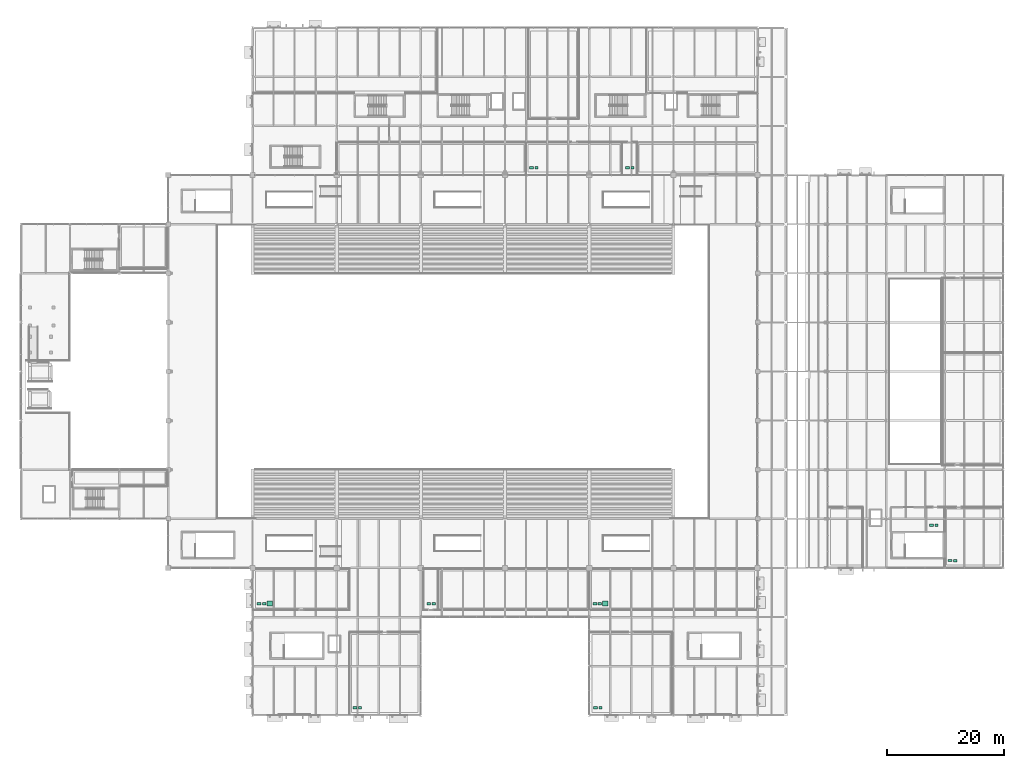
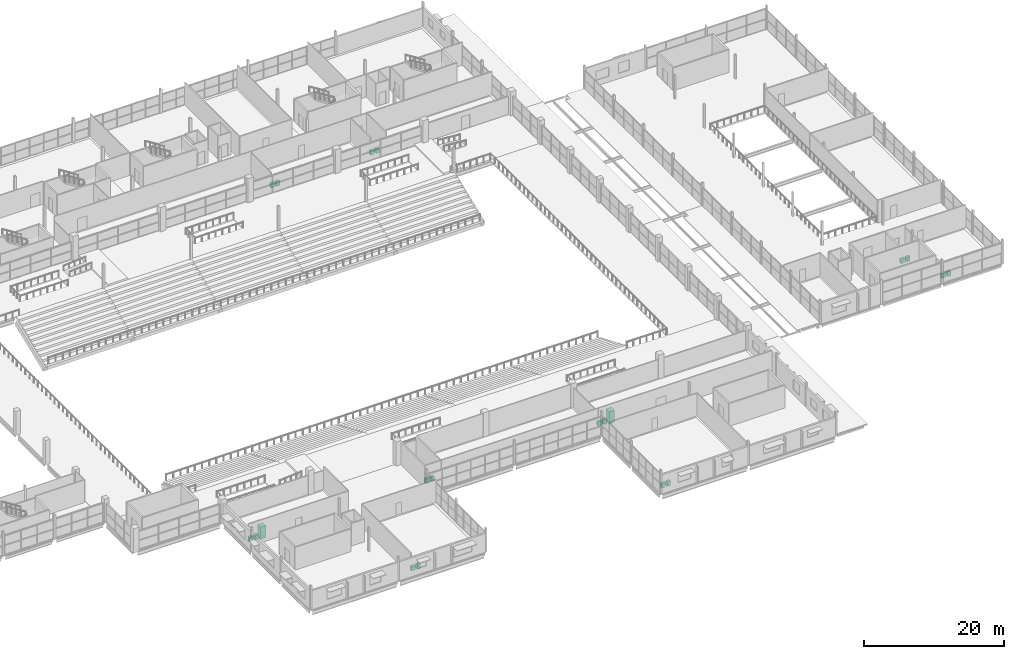
# One storey, part 161 of 161: 20 sanitary terminals.
"""IFC4 building model written with IfcOpenShell, lengths in metres."""

from ifc_helpers import new_model, si_unit, direction, frame, origin, origin_2d, place, context, subcontext, project, spatial, rectangle, extrude, material, type_object, element, save


model = new_model("IFC4")

# Units and contexts
model_context = context("Model", 3, precision=1e-05, world=origin(), true_north=direction((0.0, 1.0)))
body_context = subcontext(model_context, "Body", "Model", "MODEL_VIEW")
ifc_project = project(units=[si_unit("LENGTHUNIT", "METRE"), si_unit("AREAUNIT", "SQUARE_METRE"), si_unit("VOLUMEUNIT", "CUBIC_METRE"), si_unit("PLANEANGLEUNIT", "RADIAN"), si_unit("MASSUNIT", "GRAM", prefix="KILO"), si_unit("THERMODYNAMICTEMPERATUREUNIT", "KELVIN")], contexts=[model_context])

# Site, building, storey
site_placement = place(None, origin())
site = spatial("IfcSite", under=ifc_project, at=site_placement, CompositionType="ELEMENT")
building_placement = place(site_placement, origin())
building = spatial("IfcBuilding", under=site, at=building_placement, Name="Nduvali Passage Aquatics Centre", CompositionType="ELEMENT")
storey_placement = place(building_placement, frame((0.0, 0.0, 4.800048828125)))
storey = spatial("IfcBuildingStorey", under=building, at=storey_placement, Name="L01", CompositionType="ELEMENT", Elevation=4.800048828125)

# Sanitary terminals
ifc_material_1 = material(Name="Vitreous china sanitaryware")
sanitary_terminal_type_1 = type_object("IfcSanitaryTerminalType", Name="MEP-SAN-BAS", PredefinedType="WASHHANDBASIN", material=ifc_material_1)
for number, where, z_axis, x_axis, name in (
    (1, (41.60009765625, 19.10009765625, 0.0), (0.0, 0.0, 1.0), (1.0, 0.0, 0.0), "L01 Fitness Dry Changing Village West Washbasin"),
    (2, (58.0, 1.260009765625, 0.0), (0.0, 0.0, 1.0), (1.0, 0.0, 0.0), "L01 South Spectator Public Toilets West Washbasin"),
    (3, (70.60009765625, 19.10009765625, 0.0), (0.0, 0.0, 1.0), (1.0, 0.0, 0.0), "L01 South Spectator Accessible WC Washbasin"),
    (4, (99.0, 19.10009765625, 0.0), (0.0, 0.0, 1.0), (1.0, 0.0, 0.0), "L01 Referees and Technical Officials Changing Suite Washbasin"),
    (5, (99.14990234375, 1.260009765625, 0.0), (0.0, 0.0, 1.0), (1.0, 0.0, 0.0), "L01 South Spectator Public Toilets East Washbasin"),
    (6, (88.199951171875, 93.659912109375, 0.0), (0.0, 0.0, 1.0), (1.0, 0.0, 0.0), "L01 Fitness Gym Toilets and Showers Washbasin"),
    (7, (104.60009765625, 93.659912109375, 0.0), (0.0, 0.0, 1.0), (1.0, 0.0, 0.0), "L01 Fitness Gym Accessible WC Washbasin"),
    (8, (159.800048828125, 26.4599609375, 0.0), (0.0, 0.0, 1.0), (1.0, 0.0, 0.0), "L01 Upper Pavilion Public and Doping Sample WCs Washbasin"),
    (9, (156.60009765625, 32.5, 0.0), (0.0, 0.0, 1.0), (1.0, 0.0, 0.0), "L01 Upper Pavilion Accessible WC Washbasin"),
):
    element("IfcSanitaryTerminal", number, at=place(storey_placement, frame(where, z_axis=z_axis, x_axis=x_axis)), inside=storey, type_object=sanitary_terminal_type_1, Name=name, PredefinedType="WASHHANDBASIN", context=body_context, shape_type="SweptSolid", body=[
        extrude(rectangle(XDim=0.550048828125, YDim=0.449951171875, at=origin_2d()), origin(), (0.0, 0.0, 1.0), 0.820068359375),
    ])
ifc_material_2 = material(Name="Stainless steel shower unit", Category="steel")
sanitary_terminal_type_2 = type_object("IfcSanitaryTerminalType", Name="MEP-SAN-SHW", PredefinedType="SHOWER", material=ifc_material_2)
for number, where, z_axis, x_axis, name in (
    (10, (42.550048828125, 19.10009765625, 0.0), (0.0, 0.0, 1.0), (1.0, 0.0, 0.0), "L01 Fitness Dry Changing Village West Shower Unit"),
    (11, (99.949951171875, 19.10009765625, 0.0), (0.0, 0.0, 1.0), (1.0, 0.0, 0.0), "L01 Referees and Technical Officials Changing Suite Shower Unit"),
):
    element("IfcSanitaryTerminal", number, at=place(storey_placement, frame(where, z_axis=z_axis, x_axis=x_axis)), inside=storey, type_object=sanitary_terminal_type_2, Name=name, PredefinedType="SHOWER", context=body_context, shape_type="SweptSolid", body=[
        extrude(rectangle(XDim=0.89990234375, YDim=0.89990234375, at=origin_2d()), origin(), (0.0, 0.0, 1.0), 2.10009765625),
    ])
sanitary_terminal_type_3 = type_object("IfcSanitaryTerminalType", Name="MEP-SAN-WC", PredefinedType="TOILETPAN", material=ifc_material_1)
for number, where, z_axis, x_axis, name in (
    (12, (40.75, 19.10009765625, 0.0), (0.0, 0.0, 1.0), (1.0, 0.0, 0.0), "L01 Fitness Dry Changing Village West WC Pan"),
    (13, (57.14990234375, 1.260009765625, 0.0), (0.0, 0.0, 1.0), (1.0, 0.0, 0.0), "L01 South Spectator Public Toilets West WC Pan"),
    (14, (69.75, 19.10009765625, 0.0), (0.0, 0.0, 1.0), (1.0, 0.0, 0.0), "L01 South Spectator Accessible WC WC Pan"),
    (15, (98.14990234375, 19.10009765625, 0.0), (0.0, 0.0, 1.0), (1.0, 0.0, 0.0), "L01 Referees and Technical Officials Changing Suite WC Pan"),
    (16, (98.300048828125, 1.260009765625, 0.0), (0.0, 0.0, 1.0), (1.0, 0.0, 0.0), "L01 South Spectator Public Toilets East WC Pan"),
    (17, (87.35009765625, 93.659912109375, 0.0), (0.0, 0.0, 1.0), (1.0, 0.0, 0.0), "L01 Fitness Gym Toilets and Showers WC Pan"),
    (18, (103.75, 93.659912109375, 0.0), (0.0, 0.0, 1.0), (1.0, 0.0, 0.0), "L01 Fitness Gym Accessible WC WC Pan"),
    (19, (158.949951171875, 26.4599609375, 0.0), (0.0, 0.0, 1.0), (1.0, 0.0, 0.0), "L01 Upper Pavilion Public and Doping Sample WCs WC Pan"),
    (20, (155.75, 32.5, 0.0), (0.0, 0.0, 1.0), (1.0, 0.0, 0.0), "L01 Upper Pavilion Accessible WC WC Pan"),
):
    element("IfcSanitaryTerminal", number, at=place(storey_placement, frame(where, z_axis=z_axis, x_axis=x_axis)), inside=storey, type_object=sanitary_terminal_type_3, Name=name, PredefinedType="TOILETPAN", context=body_context, shape_type="SweptSolid", body=[
        extrude(rectangle(XDim=0.679931640625, YDim=0.39990234375, at=origin_2d()), origin(), (0.0, 0.0, 1.0), 0.780029296875),
    ])

save(model, "model.ifc")
